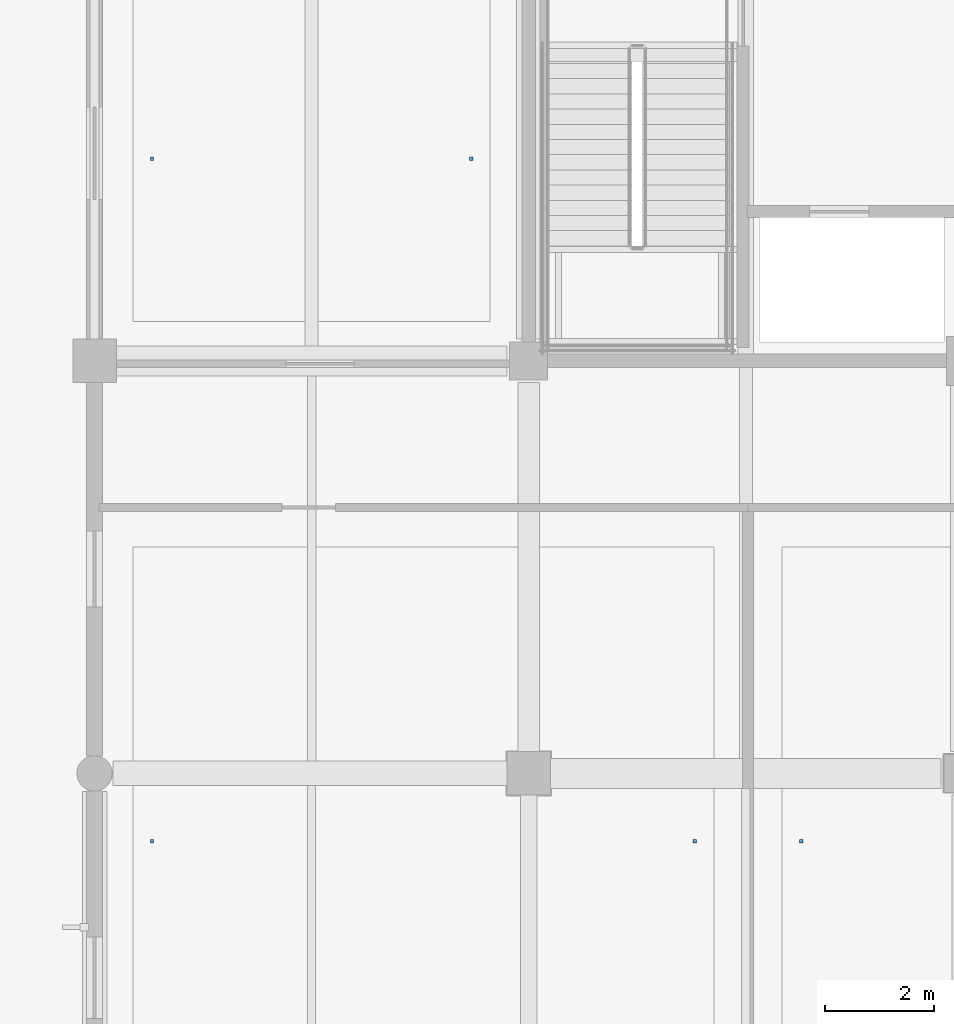
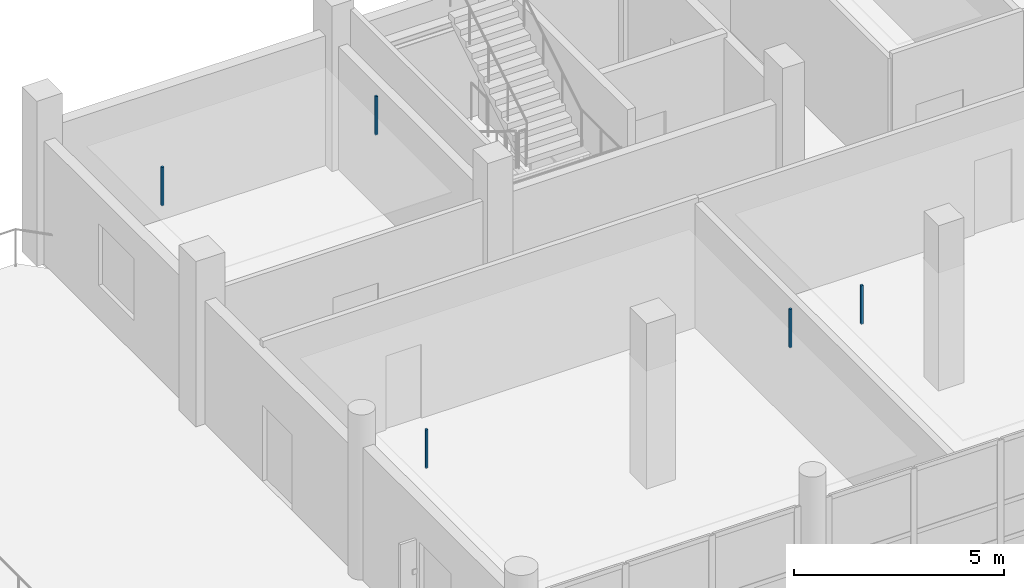
# One storey, part 90 of 107: 5 discrete accessories.
"""IFC4 building model written with IfcOpenShell, lengths in metres."""

from ifc_helpers import new_model, si_unit, direction, frame, origin, origin_2d, place, context, subcontext, project, spatial, rectangle, extrude, material, type_object, element, save


model = new_model("IFC4")

# Units and contexts
model_context = context("Model", 3, precision=1e-05, world=origin(), true_north=direction((0.0, 1.0)))
body_context = subcontext(model_context, "Body", "Model", "MODEL_VIEW")
ifc_project = project(units=[si_unit("LENGTHUNIT", "METRE"), si_unit("AREAUNIT", "SQUARE_METRE"), si_unit("VOLUMEUNIT", "CUBIC_METRE"), si_unit("PLANEANGLEUNIT", "RADIAN"), si_unit("MASSUNIT", "GRAM", prefix="KILO")], contexts=[model_context])

# Site, building, storey
site_placement = place(None, origin())
site = spatial("IfcSite", under=ifc_project, at=site_placement, CompositionType="ELEMENT")
building_placement = place(site_placement, origin())
building = spatial("IfcBuilding", under=site, at=building_placement, Name="Khelvaren Railside Concert Hall", CompositionType="ELEMENT")
storey_placement = place(building_placement, frame((0.0, 0.0, 15.0)))
storey = spatial("IfcBuildingStorey", under=building, at=storey_placement, Name="L03", CompositionType="ELEMENT", Elevation=15.0)

# Discrete accessories
ifc_material = material(Name="Galvanised steel acoustic ceiling hanger rod", Category="steel")
discrete_accessory_type = type_object("IfcDiscreteAccessoryType", Name="BRK62", PredefinedType="BRACKET", material=ifc_material)
for number, where, z_axis, x_axis, name in (
    (1, (137.06005859375, 97.550048828125, 3.429931640625), (0.0, 0.0, 1.0), (1.0, 0.0, 0.0), "Acoustic Ceiling Suspension Bracket 155-1"),
    (2, (147.06005859375, 97.550048828125, 3.429931640625), (0.0, 0.0, 1.0), (1.0, 0.0, 0.0), "Acoustic Ceiling Suspension Bracket 155-2"),
    (3, (149.02001953125, 97.550048828125, 3.429931640625), (0.0, 0.0, 1.0), (1.0, 0.0, 0.0), "Acoustic Ceiling Suspension Bracket 156-1"),
    (4, (137.06005859375, 110.125, 3.429931640625), (0.0, 0.0, 1.0), (1.0, 0.0, 0.0), "Acoustic Ceiling Suspension Bracket 159-1"),
    (5, (142.93994140625, 110.125, 3.429931640625), (0.0, 0.0, 1.0), (1.0, 0.0, 0.0), "Acoustic Ceiling Suspension Bracket 159-2"),
):
    element("IfcDiscreteAccessory", number, at=place(storey_placement, frame(where, z_axis=z_axis, x_axis=x_axis)), inside=storey, type_object=discrete_accessory_type, Name=name, PredefinedType="BRACKET", context=body_context, shape_type="SweptSolid", body=[
        extrude(rectangle(XDim=0.06005859375, YDim=0.06005859375, at=origin_2d()), origin(), (0.0, 0.0, 1.0), 1.1201171875),
    ])

save(model, "model.ifc")
